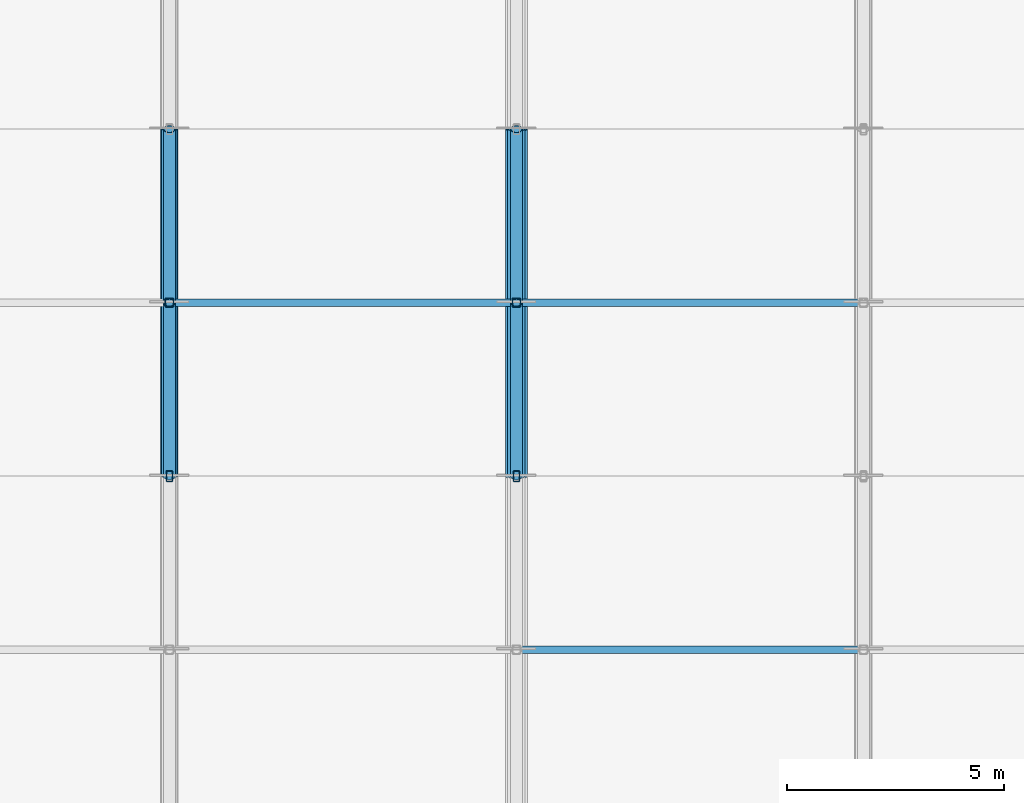
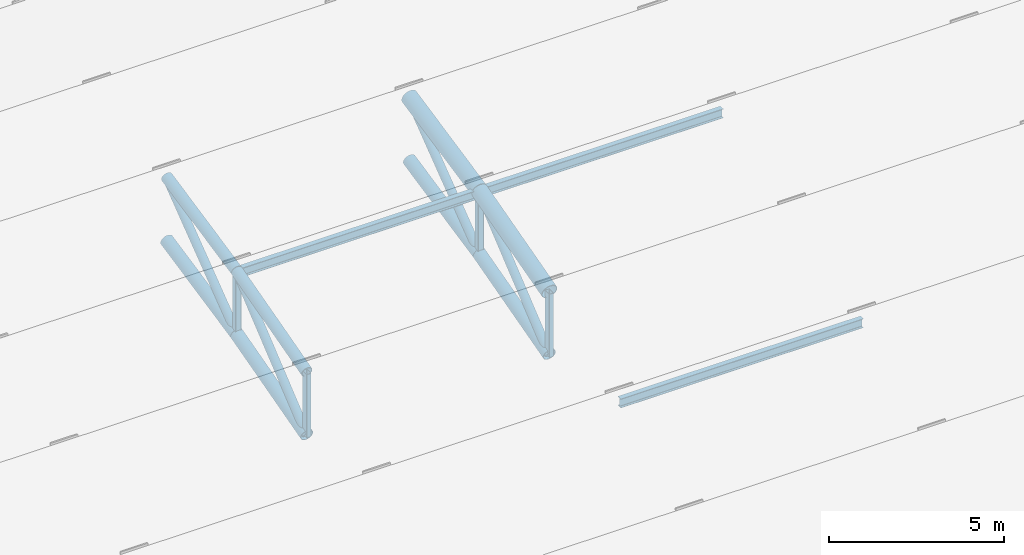
# One storey, part 28 of 98: 19 members.
"""IFC4 building model written with IfcOpenShell, lengths in metres."""

from ifc_helpers import new_model, si_unit, direction, frame, origin, origin_2d, place, context, subcontext, project, spatial, hollow_rectangle, hollow_circle, i_section, extrude, material, material_profile, profile_set, type_object, element, save


model = new_model("IFC4")

# Units and contexts
model_context = context("Model", 3, precision=1e-05, world=origin(), true_north=direction((0.0, 1.0)))
body_context = subcontext(model_context, "Body", "Model", "MODEL_VIEW")
ifc_project = project(units=[si_unit("LENGTHUNIT", "METRE"), si_unit("AREAUNIT", "SQUARE_METRE"), si_unit("VOLUMEUNIT", "CUBIC_METRE"), si_unit("PLANEANGLEUNIT", "RADIAN"), si_unit("MASSUNIT", "GRAM", prefix="KILO")], contexts=[model_context])

# Site, building, storey
site_placement = place(None, origin())
site = spatial("IfcSite", under=ifc_project, at=site_placement, CompositionType="ELEMENT")
building_placement = place(site_placement, origin())
building = spatial("IfcBuilding", under=site, at=building_placement, Name="Tlacozan Convention Centre", CompositionType="ELEMENT")
storey_placement = place(building_placement, frame((0.0, 0.0, 25.800048828125)))
storey = spatial("IfcBuildingStorey", under=building, at=storey_placement, Name="Roof", CompositionType="ELEMENT", Elevation=25.800048828125)

# Members
ifc_material_1 = material(Name="Steel ASTM A500 Grade C", Category="steel")
ifc_material_profile_1 = material_profile(ifc_material_1, hollow_circle(Radius=0.203125, WallThickness=0.015869140625, at=origin_2d()), Name="OC 406.4x15.9")
ifc_profile_set_1 = profile_set([ifc_material_profile_1], Name="Steel ASTM A500 Grade C")
member_type_1 = type_object("IfcMemberType", Name="Arch Bottom Chord OC 406.4x15.9", PredefinedType="CHORD", material=ifc_profile_set_1)
member_1_placement = place(storey_placement, frame((112.0, 74.0, -7.807861328125), z_axis=(0.0, 0.964289609145, 0.26485005134), x_axis=(-1.0, 0.0, 0.0)))
element("IfcMember", 1, at=member_1_placement, inside=storey, type_object=member_type_1, Name="V2A Roof Truss 15 Bottom Chord 4", PredefinedType="CHORD", context=body_context, shape_type="SweptSolid", body=[
    extrude(hollow_circle(Radius=0.203125, WallThickness=0.015869140625, at=origin_2d()), origin(), (0.0, 0.0, 1.0), 4.148193359375),
])
member_2_placement = place(storey_placement, frame((112.0, 78.0, -6.709228515625), z_axis=(0.0, 0.978552953366, 0.205995430674), x_axis=(-1.0, 0.0, 0.0)))
element("IfcMember", 2, at=member_2_placement, inside=storey, type_object=member_type_1, Name="V2A Roof Truss 15 Bottom Chord 5", PredefinedType="CHORD", context=body_context, shape_type="SweptSolid", body=[
    extrude(hollow_circle(Radius=0.203125, WallThickness=0.015869140625, at=origin_2d()), origin(), (0.0, 0.0, 1.0), 4.087646484375),
])
member_3_placement = place(storey_placement, frame((120.0, 74.0, -7.807861328125), z_axis=(0.0, 0.964289609145, 0.26485005134), x_axis=(-1.0, 0.0, 0.0)))
element("IfcMember", 3, at=member_3_placement, inside=storey, type_object=member_type_1, Name="V2A Roof Truss 16 Bottom Chord 4", PredefinedType="CHORD", context=body_context, shape_type="SweptSolid", body=[
    extrude(hollow_circle(Radius=0.203125, WallThickness=0.015869140625, at=origin_2d()), origin(), (0.0, 0.0, 1.0), 4.148193359375),
])
member_4_placement = place(storey_placement, frame((120.0, 78.0, -6.709228515625), z_axis=(0.0, 0.978552953366, 0.205995430674), x_axis=(-1.0, 0.0, 0.0)))
element("IfcMember", 4, at=member_4_placement, inside=storey, type_object=member_type_1, Name="V2A Roof Truss 16 Bottom Chord 5", PredefinedType="CHORD", context=body_context, shape_type="SweptSolid", body=[
    extrude(hollow_circle(Radius=0.203125, WallThickness=0.015869140625, at=origin_2d()), origin(), (0.0, 0.0, 1.0), 4.087646484375),
])
ifc_material_profile_2 = material_profile(ifc_material_1, hollow_circle(Radius=0.25390625, WallThickness=0.01904296875, at=origin_2d()), Name="OC 508.0x19.1")
ifc_profile_set_2 = profile_set([ifc_material_profile_2], Name="Steel ASTM A500 Grade C")
member_type_2 = type_object("IfcMemberType", Name="Arch Top Chord OC 508x19.1", PredefinedType="CHORD", material=ifc_profile_set_2)
member_5_placement = place(storey_placement, frame((120.0, 74.0, -5.607666015625), z_axis=(0.0, 0.964304639076, 0.264795322949), x_axis=(-1.0, 0.0, 0.0)))
element("IfcMember", 5, at=member_5_placement, inside=storey, type_object=member_type_2, Name="V2A Roof Truss 16 Top Chord 4", PredefinedType="CHORD", context=body_context, shape_type="SweptSolid", body=[
    extrude(hollow_circle(Radius=0.25390625, WallThickness=0.01904296875, at=origin_2d()), origin(), (0.0, 0.0, 1.0), 4.14794921875),
])
member_6_placement = place(storey_placement, frame((120.0, 78.0, -4.50927734375), z_axis=(0.0, 0.978552953366, 0.205995430674), x_axis=(-1.0, 0.0, 0.0)))
element("IfcMember", 6, at=member_6_placement, inside=storey, type_object=member_type_2, Name="V2A Roof Truss 16 Top Chord 5", PredefinedType="CHORD", context=body_context, shape_type="SweptSolid", body=[
    extrude(hollow_circle(Radius=0.25390625, WallThickness=0.01904296875, at=origin_2d()), origin(), (0.0, 0.0, 1.0), 4.087646484375),
])
ifc_material_profile_3 = material_profile(ifc_material_1, hollow_circle(Radius=0.136474609375, WallThickness=0.0126953125, at=origin_2d()), Name="OC 273.1x12.7")
ifc_profile_set_3 = profile_set([ifc_material_profile_3], Name="Steel ASTM A500 Grade C")
member_type_3 = type_object("IfcMemberType", Name="Arch Web Diagonal OC 273.1x12.7", PredefinedType="BRACE", material=ifc_profile_set_3)
member_7_placement = place(storey_placement, frame((112.0, 74.0, -7.807861328125), z_axis=(0.0, 0.771507331308, 0.63622043172), x_axis=(-1.0, 0.0, 0.0)))
element("IfcMember", 7, at=member_7_placement, inside=storey, type_object=member_type_3, Name="V2A Roof Truss 15 Web Diagonal 4", PredefinedType="BRACE", context=body_context, shape_type="SweptSolid", body=[
    extrude(hollow_circle(Radius=0.136474609375, WallThickness=0.0126953125, at=origin_2d()), origin(), (0.0, 0.0, 1.0), 5.1845703125),
])
member_8_placement = place(storey_placement, frame((112.0, 78.0, -6.709228515625), z_axis=(0.0, 0.795971176065, 0.605334524766), x_axis=(-1.0, 0.0, 0.0)))
element("IfcMember", 8, at=member_8_placement, inside=storey, type_object=member_type_3, Name="V2A Roof Truss 15 Web Diagonal 5", PredefinedType="BRACE", context=body_context, shape_type="SweptSolid", body=[
    extrude(hollow_circle(Radius=0.136474609375, WallThickness=0.0126953125, at=origin_2d()), origin(), (0.0, 0.0, 1.0), 5.025390625),
])
member_9_placement = place(storey_placement, frame((120.0, 74.0, -7.807861328125), z_axis=(0.0, 0.771507331308, 0.63622043172), x_axis=(-1.0, 0.0, 0.0)))
element("IfcMember", 9, at=member_9_placement, inside=storey, type_object=member_type_3, Name="V2A Roof Truss 16 Web Diagonal 4", PredefinedType="BRACE", context=body_context, shape_type="SweptSolid", body=[
    extrude(hollow_circle(Radius=0.136474609375, WallThickness=0.0126953125, at=origin_2d()), origin(), (0.0, 0.0, 1.0), 5.1845703125),
])
member_10_placement = place(storey_placement, frame((120.0, 78.0, -6.709228515625), z_axis=(0.0, 0.795971176065, 0.605334524766), x_axis=(-1.0, 0.0, 0.0)))
element("IfcMember", 10, at=member_10_placement, inside=storey, type_object=member_type_3, Name="V2A Roof Truss 16 Web Diagonal 5", PredefinedType="BRACE", context=body_context, shape_type="SweptSolid", body=[
    extrude(hollow_circle(Radius=0.136474609375, WallThickness=0.0126953125, at=origin_2d()), origin(), (0.0, 0.0, 1.0), 5.025390625),
])
ifc_material_profile_4 = material_profile(ifc_material_1, hollow_rectangle(XDim=0.203125, YDim=0.203125, WallThickness=0.0126953125, InnerFilletRadius=0.0126953125, OuterFilletRadius=0.02490234375, at=origin_2d()), Name="OR 203x203x12.7")
ifc_profile_set_4 = profile_set([ifc_material_profile_4], Name="Steel ASTM A500 Grade C")
member_type_4 = type_object("IfcMemberType", Name="Arch Web Strut OR 203x203x12.7", PredefinedType="STRUT", material=ifc_profile_set_4)
for number, where, z_axis, x_axis, name in (
    (11, (112.0, 78.0, -6.709228515625), (0.0, 0.0, 1.0), (1.0, 0.0, 0.0), "V2A Roof Truss 15 Vertical Strut 5"),
    (12, (120.0, 78.0, -6.709228515625), (0.0, 0.0, 1.0), (1.0, 0.0, 0.0), "V2A Roof Truss 16 Vertical Strut 5"),
):
    element("IfcMember", number, at=place(storey_placement, frame(where, z_axis=z_axis, x_axis=x_axis)), inside=storey, type_object=member_type_4, Name=name, PredefinedType="STRUT", context=body_context, shape_type="SweptSolid", body=[
        extrude(hollow_rectangle(XDim=0.203125, YDim=0.203125, WallThickness=0.0126953125, InnerFilletRadius=0.0126953125, OuterFilletRadius=0.02490234375, at=origin_2d()), origin(), (0.0, 0.0, 1.0), 2.199951171875),
    ])
ifc_material_2 = material(Name="Steel ASTM A992 Grade 50", Category="steel")
ifc_material_profile_5 = material_profile(ifc_material_2, i_section(OverallWidth=0.1669921875, OverallDepth=0.31689453125, WebThickness=0.007568359375, FlangeThickness=0.01318359375, FilletRadius=0.010009765625, at=origin_2d()), Name="IR 305x52.2")
ifc_profile_set_5 = profile_set([ifc_material_profile_5], Name="Steel ASTM A992 Grade 50")
member_type_5 = type_object("IfcMemberType", Name="Roof Purlin IR 305x52.2", PredefinedType="PURLIN", material=ifc_profile_set_5)
for number, where, z_axis, x_axis, name in (
    (13, (112.0, 78.0, -4.57421875), (1.0, 0.0, 0.0), (0.0, 1.0, 0.0), "V2A Roof Truss Purlin 15.5"),
    (14, (120.0, 70.0, -7.041259765625), (1.0, 0.0, 0.0), (0.0, 1.0, 0.0), "V2A Roof Truss Purlin 16.3"),
    (15, (120.0, 78.0, -4.57421875), (1.0, 0.0, 0.0), (0.0, 1.0, 0.0), "V2A Roof Truss Purlin 16.5"),
):
    element("IfcMember", number, at=place(storey_placement, frame(where, z_axis=z_axis, x_axis=x_axis)), inside=storey, type_object=member_type_5, Name=name, PredefinedType="PURLIN", context=body_context, shape_type="SweptSolid", body=[
        extrude(i_section(OverallWidth=0.1669921875, OverallDepth=0.31689453125, WebThickness=0.007568359375, FlangeThickness=0.01318359375, FilletRadius=0.010009765625, at=origin_2d()), origin(), (0.0, 0.0, 1.0), 8.0),
    ])
ifc_material_profile_6 = material_profile(ifc_material_1, hollow_circle(Radius=0.177734375, WallThickness=0.015869140625, at=origin_2d()), Name="OC 355.6x15.9")
ifc_profile_set_6 = profile_set([ifc_material_profile_6], Name="Steel ASTM A500 Grade C")
member_type_6 = type_object("IfcMemberType", Name="Secondary Arch Chord OC 355.6x15.9", PredefinedType="CHORD", material=ifc_profile_set_6)
member_11_placement = place(storey_placement, frame((112.0, 74.0, -5.607666015625), z_axis=(0.0, 0.964304639076, 0.264795322949), x_axis=(-1.0, 0.0, 0.0)))
element("IfcMember", 16, at=member_11_placement, inside=storey, type_object=member_type_6, Name="V2A Roof Truss 15 Top Chord 4", PredefinedType="CHORD", context=body_context, shape_type="SweptSolid", body=[
    extrude(hollow_circle(Radius=0.177734375, WallThickness=0.015869140625, at=origin_2d()), origin(), (0.0, 0.0, 1.0), 4.14794921875),
])
member_12_placement = place(storey_placement, frame((112.0, 78.0, -4.50927734375), z_axis=(0.0, 0.978552953366, 0.205995430674), x_axis=(-1.0, 0.0, 0.0)))
element("IfcMember", 17, at=member_12_placement, inside=storey, type_object=member_type_6, Name="V2A Roof Truss 15 Top Chord 5", PredefinedType="CHORD", context=body_context, shape_type="SweptSolid", body=[
    extrude(hollow_circle(Radius=0.177734375, WallThickness=0.015869140625, at=origin_2d()), origin(), (0.0, 0.0, 1.0), 4.087646484375),
])
ifc_material_profile_7 = material_profile(ifc_material_1, hollow_rectangle(XDim=0.15234375, YDim=0.25390625, WallThickness=0.0126953125, InnerFilletRadius=0.0126953125, OuterFilletRadius=0.02490234375, at=origin_2d()), Name="OR 254x152x12.7")
ifc_profile_set_7 = profile_set([ifc_material_profile_7], Name="Steel ASTM A500 Grade C")
member_type_7 = type_object("IfcMemberType", Name="Truss Secondary Strut OR 254x152x12.7", PredefinedType="STRUT", material=ifc_profile_set_7)
for number, where, z_axis, x_axis, name in (
    (18, (112.0, 74.0, -7.807861328125), (0.0, 0.0, 1.0), (1.0, 0.0, 0.0), "V2A Roof Truss 15 Vertical Strut 4"),
    (19, (120.0, 74.0, -7.807861328125), (0.0, 0.0, 1.0), (1.0, 0.0, 0.0), "V2A Roof Truss 16 Vertical Strut 4"),
):
    element("IfcMember", number, at=place(storey_placement, frame(where, z_axis=z_axis, x_axis=x_axis)), inside=storey, type_object=member_type_7, Name=name, PredefinedType="STRUT", context=body_context, shape_type="SweptSolid", body=[
        extrude(hollow_rectangle(XDim=0.15234375, YDim=0.25390625, WallThickness=0.0126953125, InnerFilletRadius=0.0126953125, OuterFilletRadius=0.02490234375, at=origin_2d()), origin(), (0.0, 0.0, 1.0), 2.2001953125),
    ])

save(model, "model.ifc")
